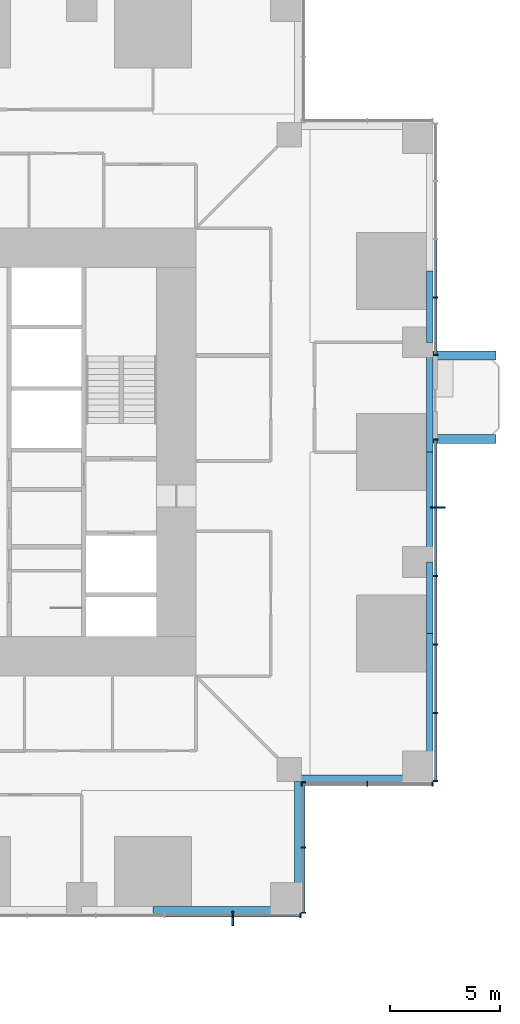
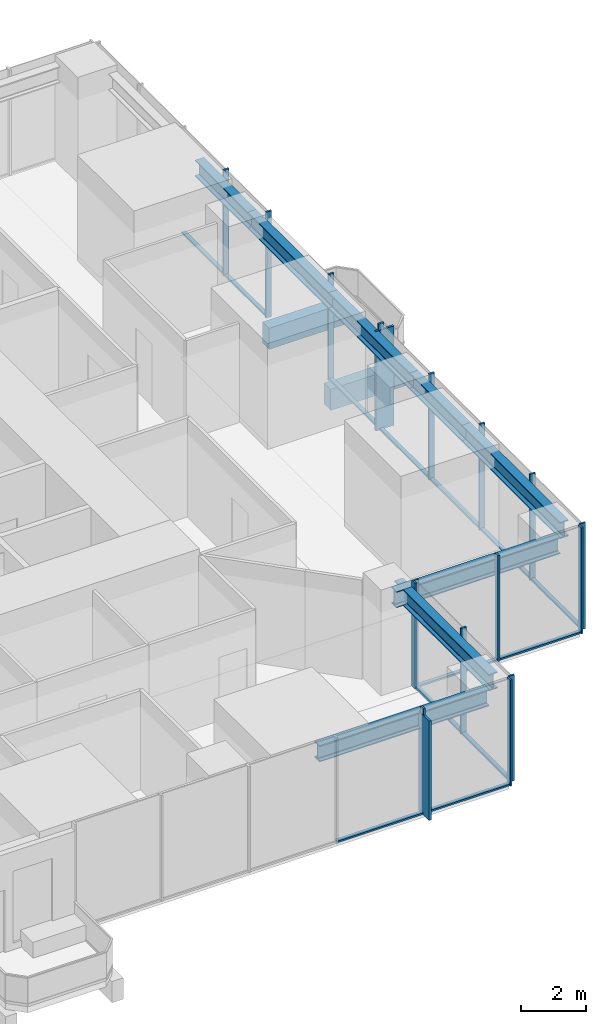
# One storey, part 4 of 18: 31 members, 10 beams, 5 elements without a shape of their own.
"""IFC4 building model written with IfcOpenShell, lengths in metres."""

import ifcopenshell
import ifcopenshell.guid

model = None  # the IFC model being written
_history = None  # IfcOwnerHistory: only IFC2X3 demands one
_inside = {}  # id of a spatial element -> (the spatial element, [elements in it])
_under = {}  # id of a project, library or spatial element -> (it, [spatial elements below it])
_declared = {}  # id of a project -> (the project, [libraries it declares])
_typed = {}  # id of a type object -> (the type object, [elements of that type])
_made_of = {}  # id of a material, layer set ... -> (it, [elements and type objects made of it])


def new_model(schema):
    """Start an empty IFC model of exactly this schema.

    Asked for "IFC4X3", IfcOpenShell would pick the latest addendum, in which some entities
    have other attributes; the version numbers below select the first issue.
    IFC2X3 requires an IfcOwnerHistory on every rooted entity: one is made here for all.
    """
    global model, _history
    if schema == "IFC4X3":
        model = ifcopenshell.file(schema_version=(4, 3, 0, 0))
    else:
        model = ifcopenshell.file(schema=schema)
    _inside.clear()
    _under.clear()
    _declared.clear()
    _typed.clear()
    _made_of.clear()
    _history = None
    if model.schema == "IFC2X3":
        org = make("IfcOrganization", Name="unknown")
        user = make(
            "IfcPersonAndOrganization",
            ThePerson=make("IfcPerson", FamilyName="unknown"),
            TheOrganization=org,
        )
        app = make(
            "IfcApplication",
            ApplicationDeveloper=org,
            Version="unknown",
            ApplicationFullName="unknown",
            ApplicationIdentifier="unknown",
        )
        _history = make(
            "IfcOwnerHistory",
            OwningUser=user,
            OwningApplication=app,
            ChangeAction="ADDED",
            CreationDate=0,
        )
    return model


def make(cls, **values):
    """One entity of the class cls with the attributes given. An attribute that is None is left unset."""
    return model.create_entity(
        cls, **{name: value for name, value in values.items() if value is not None}
    )


def rooted(cls, **values):
    """An entity with a GlobalId (a new one), such as an element, a storey or a relation."""
    return make(cls, GlobalId=ifcopenshell.guid.new(), OwnerHistory=_history, **values)


def si_unit(unit_type, name, prefix=None):
    """IfcSIUnit, for example si_unit("LENGTHUNIT", "METRE", prefix="MILLI")."""
    return make("IfcSIUnit", UnitType=unit_type, Prefix=prefix, Name=name)


def assignment(units):
    """IfcUnitAssignment: the units of a project."""
    return None if units is None else make("IfcUnitAssignment", Units=units)


def point(xyz):
    """IfcCartesianPoint."""
    return None if xyz is None else make("IfcCartesianPoint", Coordinates=xyz)


def direction(xyz):
    """IfcDirection."""
    return None if xyz is None else make("IfcDirection", DirectionRatios=xyz)


def frame(location, z_axis=None, x_axis=None):
    """IfcAxis2Placement3D, a coordinate frame: its origin and axes. An axis left out is left unset."""
    return make(
        "IfcAxis2Placement3D",
        Location=point(location),
        Axis=direction(z_axis),
        RefDirection=direction(x_axis),
    )


def frame_2d(location, x_axis=None):
    """IfcAxis2Placement2D, a coordinate frame in the plane: its origin and x axis."""
    return make(
        "IfcAxis2Placement2D", Location=point(location), RefDirection=direction(x_axis)
    )


def origin():
    """The frame at (0, 0, 0) with its axes left unset."""
    return frame((0.0, 0.0, 0.0))


def origin_2d():
    """The frame at (0, 0) in the plane with its x axis left unset."""
    return frame_2d((0.0, 0.0))


def place(relative_to, where):
    """IfcLocalPlacement: puts the frame where relative to a parent placement (None: the world)."""
    return make(
        "IfcLocalPlacement", PlacementRelTo=relative_to, RelativePlacement=where
    )


def context(
    kind, dimensions, precision=None, world=None, true_north=None, identifier=None
):
    """IfcGeometricRepresentationContext, for example the 3D "Model" context."""
    return make(
        "IfcGeometricRepresentationContext",
        ContextIdentifier=identifier,
        ContextType=kind,
        CoordinateSpaceDimension=dimensions,
        Precision=precision,
        WorldCoordinateSystem=world,
        TrueNorth=true_north,
    )


def subcontext(parent, identifier, kind, view, scale=None):
    """IfcGeometricRepresentationSubContext, for example "Body" below "Model"."""
    return make(
        "IfcGeometricRepresentationSubContext",
        ContextIdentifier=identifier,
        ContextType=kind,
        ParentContext=parent,
        TargetScale=scale,
        TargetView=view,
    )


def project(units=None, contexts=None):
    """IfcProject with its units and contexts."""
    return rooted(
        "IfcProject",
        Name="project",
        RepresentationContexts=contexts,
        UnitsInContext=assignment(units),
    )


def spatial(cls, under=None, at=None, **own):
    """A site, building, storey or space (cls), placed at a placement, below another one or the project."""
    s = rooted(cls, ObjectPlacement=at, **own)
    if under is not None:
        _under.setdefault(under.id(), (under, []))[1].append(s)
    return s


def profile(cls, at=None, kind="AREA", **sizes):
    """A parametric profile (cls). Its sizes go by their IFC names, for example OverallWidth=200.0."""
    return make(cls, ProfileType=kind, Position=at, **sizes)


def rectangle(**sizes):
    """IfcRectangleProfileDef."""
    return profile("IfcRectangleProfileDef", **sizes)


def i_section(**sizes):
    """IfcIShapeProfileDef."""
    return profile("IfcIShapeProfileDef", **sizes)


def extrude(swept, where, along, depth):
    """IfcExtrudedAreaSolid: the profile swept, set in the frame where, extruded along a direction by depth."""
    return make(
        "IfcExtrudedAreaSolid",
        SweptArea=swept,
        Position=where,
        ExtrudedDirection=direction(along),
        Depth=depth,
    )


def shape(context_of_items, identifier, shape_type, items):
    """IfcShapeRepresentation: the items that make up one representation, for example the "Body"."""
    return make(
        "IfcShapeRepresentation",
        ContextOfItems=context_of_items,
        RepresentationIdentifier=identifier,
        RepresentationType=shape_type,
        Items=items,
    )


def material(Name=None, Category=None):
    """IfcMaterial."""
    return make("IfcMaterial", Name=Name, Category=Category)


def material_profile(
    of_material, cross_section, Name=None, Category=None, Priority=None
):
    """IfcMaterialProfile: a cross section and its material."""
    return make(
        "IfcMaterialProfile",
        Name=Name,
        Material=of_material,
        Profile=cross_section,
        Priority=Priority,
        Category=Category,
    )


def profile_set(profiles, Name=None, composite=None):
    """IfcMaterialProfileSet."""
    return make(
        "IfcMaterialProfileSet",
        Name=Name,
        MaterialProfiles=profiles,
        CompositeProfile=composite,
    )


def made_of(thing, what):
    """Note that an element or type object is made of a material, layer set ...; save() writes the relation."""
    if what is not None:
        _made_of.setdefault(what.id(), (what, []))[1].append(thing)
    return thing


def type_object(cls, material=None, **own):
    """A type object (cls), such as IfcWallType, which elements share."""
    return made_of(rooted(cls, **own), material)


def element(
    cls,
    number,
    at=None,
    inside=None,
    cuts=None,
    type_object=None,
    material=None,
    context=None,
    identifier="Body",
    shape_type=None,
    held_by="IfcProductDefinitionShape",
    body=None,
    shapes=None,
    **own,
):
    """One element of the class cls, such as IfcWall. Its Tag is "e" and its number.

    at: its placement. inside: the storey or other place that contains it. cuts: it is an
    opening in that element (IfcRelVoidsElement). A single representation is given by context,
    identifier, shape_type and body (its items); several are given by shapes. held_by: the class
    of the entity that holds the representations. save() writes the other relations.
    """
    e = rooted(cls, Tag="e%d" % number, ObjectPlacement=at, **own)
    if body is not None:
        shapes = [shape(context, identifier, shape_type, body)]
    if shapes is not None:
        e.Representation = make(held_by, Representations=shapes)
    if inside is not None:
        _inside.setdefault(inside.id(), (inside, []))[1].append(e)
    if cuts is not None:
        rooted(
            "IfcRelVoidsElement", RelatingBuildingElement=cuts, RelatedOpeningElement=e
        )
    if type_object is not None:
        _typed.setdefault(type_object.id(), (type_object, []))[1].append(e)
    return made_of(e, material)


def aggregate(whole, parts):
    """IfcRelAggregates: a whole, such as a stair, and the parts it consists of."""
    return rooted("IfcRelAggregates", RelatingObject=whole, RelatedObjects=parts)


def save(model, path):
    """Write the relations noted so far, then the file.

    IfcRelAggregates (storeys below a building ...), IfcRelContainedInSpatialStructure (elements
    in a storey), IfcRelDefinesByType, IfcRelAssociatesMaterial and IfcRelDeclares: one each for
    every whole, place, type object, material and project.
    """
    for whole, parts in _under.values():
        aggregate(whole, parts)
    for where, things in _inside.values():
        rooted(
            "IfcRelContainedInSpatialStructure",
            RelatedElements=things,
            RelatingStructure=where,
        )
    for kind, things in _typed.values():
        rooted("IfcRelDefinesByType", RelatedObjects=things, RelatingType=kind)
    for what, things in _made_of.values():
        rooted("IfcRelAssociatesMaterial", RelatedObjects=things, RelatingMaterial=what)
    for by, libraries in _declared.values():
        rooted("IfcRelDeclares", RelatingContext=by, RelatedDefinitions=libraries)
    model.write(path)


model = new_model("IFC4")

# Units and contexts
model_context = context("Model", 3, precision=1e-05, world=origin(), true_north=direction((0.0, 1.0)))
body_context = subcontext(model_context, "Body", "Model", "MODEL_VIEW")
ifc_project = project(units=[si_unit("LENGTHUNIT", "METRE"), si_unit("AREAUNIT", "SQUARE_METRE"), si_unit("VOLUMEUNIT", "CUBIC_METRE"), si_unit("PLANEANGLEUNIT", "RADIAN"), si_unit("MASSUNIT", "GRAM", prefix="KILO")], contexts=[model_context])

# Site, building, storey
site_placement = place(None, origin())
site = spatial("IfcSite", under=ifc_project, at=site_placement, CompositionType="ELEMENT")
building_placement = place(site_placement, origin())
building = spatial("IfcBuilding", under=site, at=building_placement, Name="Svetlomir Tower", CompositionType="ELEMENT")
storey_placement = place(building_placement, frame((0.0, 0.0, 46.5)))
storey = spatial("IfcBuildingStorey", under=building, at=storey_placement, Name="L10", CompositionType="ELEMENT", Elevation=46.5)

# Beams
ifc_material_1 = material(Name="Concrete C60/75", Category="concrete")
ifc_material_profile_1 = material_profile(ifc_material_1, rectangle(XDim=0.39990234375, YDim=0.800048828125, at=origin_2d()), Name="RC 400x800")
ifc_profile_set_1 = profile_set([ifc_material_profile_1], Name="Concrete C60/75")
beam_type_1 = type_object("IfcBeamType", Name="BALCONY RIB RC 400x800", PredefinedType="BEAM", material=ifc_profile_set_1)
for number, where, z_axis, x_axis, name in (
    (1, (42.0, 21.60009765625, -0.64990234375), (1.0, 0.0, 0.0), (0.0, 1.0, 0.0), "Balcony rib E 1 L10"),
    (2, (42.0, 25.39990234375, -0.64990234375), (1.0, 0.0, 0.0), (0.0, 1.0, 0.0), "Balcony rib E 2 L10"),
):
    element("IfcBeam", number, at=place(storey_placement, frame(where, z_axis=z_axis, x_axis=x_axis)), inside=storey, type_object=beam_type_1, Name=name, PredefinedType="BEAM", context=body_context, shape_type="SweptSolid", body=[
        extrude(rectangle(XDim=0.39990234375, YDim=0.800048828125, at=origin_2d()), origin(), (0.0, 0.0, 1.0), 2.85009765625),
    ])

# Curtain wall, member
ifc_material_2 = material(Name="Bronze anodised aluminium curtain wall", Category="aluminium")
curtain_wall_type = type_object("IfcCurtainWallType", Name="CURTAIN WALL CW1 TOWER OFFICE", PredefinedType="NOTDEFINED", material=ifc_material_2)
curtain_wall_1_placement = place(storey_placement, origin())
curtain_wall_1 = element("IfcCurtainWall", 3, at=curtain_wall_1_placement, inside=storey, type_object=curtain_wall_type, Name="Curtain wall CW1 L10", PredefinedType="NOTDEFINED")
ifc_material_3 = material(Name="Bronze anodised aluminium", Category="aluminium")
ifc_material_profile_2 = material_profile(ifc_material_3, rectangle(XDim=0.080078125, YDim=0.64990234375, at=origin_2d()), Name="FIN 80x650")
ifc_profile_set_2 = profile_set([ifc_material_profile_2], Name="Bronze anodised aluminium 6063-T6")
member_type_1 = type_object("IfcMemberType", Name="BRONZE FIN 80x650", PredefinedType="USERDEFINED", material=ifc_profile_set_2)
member_1_placement = place(storey_placement, frame((32.8798828125, -0.22509765625, 0.0), z_axis=(0.0, 0.0, 1.0), x_axis=(1.0, 0.0, 0.0)))
member_1 = element("IfcMember", 4, at=member_1_placement, type_object=member_type_1, Name="Bronze fin L10", ObjectType="FIN", PredefinedType="USERDEFINED", context=body_context, shape_type="SweptSolid", body=[
    extrude(rectangle(XDim=0.080078125, YDim=0.64990234375, at=origin_2d()), origin(), (0.0, 0.0, 1.0), 3.75),
])

curtain_wall_2_placement = place(storey_placement, origin())
curtain_wall_2 = element("IfcCurtainWall", 5, at=curtain_wall_2_placement, inside=storey, type_object=curtain_wall_type, Name="Curtain wall CW1 L10", PredefinedType="NOTDEFINED")
member_2_placement = place(storey_placement, frame((42.22509765625, 18.47998046875, 0.0), z_axis=(0.0, 0.0, 1.0), x_axis=(0.0, 1.0, 0.0)))
member_2 = element("IfcMember", 6, at=member_2_placement, type_object=member_type_1, Name="Bronze fin L10", ObjectType="FIN", PredefinedType="USERDEFINED", context=body_context, shape_type="SweptSolid", body=[
    extrude(rectangle(XDim=0.080078125, YDim=0.64990234375, at=origin_2d()), origin(), (0.0, 0.0, 1.0), 3.75),
])

# Member
ifc_material_4 = material(Name="Bronze anodised aluminium", Category="aluminium")
ifc_material_profile_3 = material_profile(ifc_material_4, rectangle(XDim=0.06494140625, YDim=0.199951171875, at=origin_2d()), Name="AL 65x200")
ifc_profile_set_3 = profile_set([ifc_material_profile_3], Name="Bronze anodised aluminium 6063-T6")
member_type_2 = type_object("IfcMemberType", Name="CW1 MULLION 65x200", PredefinedType="MULLION", material=ifc_profile_set_3)
member_3_placement = place(storey_placement, frame((32.8798828125, -0.10009765625, 0.0), z_axis=(0.0, 0.0, 1.0), x_axis=(1.0, 0.0, 0.0)))
member_3 = element("IfcMember", 7, at=member_3_placement, type_object=member_type_2, Name="CW1 mullion 5", PredefinedType="MULLION", context=body_context, shape_type="SweptSolid", body=[
    extrude(rectangle(XDim=0.06494140625, YDim=0.199951171875, at=origin_2d()), origin(), (0.0, 0.0, 1.0), 4.0),
])

member_4_placement = place(storey_placement, frame((35.967529296875, -0.10009765625, 0.0), z_axis=(0.0, 0.0, 1.0), x_axis=(1.0, 0.0, 0.0)))
member_4 = element("IfcMember", 8, at=member_4_placement, type_object=member_type_2, Name="CW1 mullion 6", PredefinedType="MULLION", context=body_context, shape_type="SweptSolid", body=[
    extrude(rectangle(XDim=0.06494140625, YDim=0.199951171875, at=origin_2d()), origin(), (0.0, 0.0, 1.0), 4.0),
])

# Curtain wall, members
curtain_wall_3_placement = place(storey_placement, origin())
curtain_wall_3 = element("IfcCurtainWall", 9, at=curtain_wall_3_placement, inside=storey, type_object=curtain_wall_type, Name="Curtain wall CW1 L10", PredefinedType="NOTDEFINED")
member_5_placement = place(storey_placement, frame((36.10009765625, 0.032470703125, 0.0), z_axis=(0.0, 0.0, 1.0), x_axis=(0.0, 1.0, 0.0)))
member_5 = element("IfcMember", 10, at=member_5_placement, type_object=member_type_2, Name="CW1 mullion 1", PredefinedType="MULLION", context=body_context, shape_type="SweptSolid", body=[
    extrude(rectangle(XDim=0.06494140625, YDim=0.199951171875, at=origin_2d()), origin(), (0.0, 0.0, 1.0), 4.0),
])
member_6_placement = place(storey_placement, frame((36.10009765625, 3.0, 0.0), z_axis=(0.0, 0.0, 1.0), x_axis=(0.0, 1.0, 0.0)))
member_6 = element("IfcMember", 11, at=member_6_placement, type_object=member_type_2, Name="CW1 mullion 2", PredefinedType="MULLION", context=body_context, shape_type="SweptSolid", body=[
    extrude(rectangle(XDim=0.06494140625, YDim=0.199951171875, at=origin_2d()), origin(), (0.0, 0.0, 1.0), 4.0),
])
member_7_placement = place(storey_placement, frame((36.10009765625, 5.967529296875, 0.0), z_axis=(0.0, 0.0, 1.0), x_axis=(0.0, 1.0, 0.0)))
member_7 = element("IfcMember", 12, at=member_7_placement, type_object=member_type_2, Name="CW1 mullion 3", PredefinedType="MULLION", context=body_context, shape_type="SweptSolid", body=[
    extrude(rectangle(XDim=0.06494140625, YDim=0.199951171875, at=origin_2d()), origin(), (0.0, 0.0, 1.0), 4.0),
])

curtain_wall_4_placement = place(storey_placement, origin())
curtain_wall_4 = element("IfcCurtainWall", 13, at=curtain_wall_4_placement, inside=storey, type_object=curtain_wall_type, Name="Curtain wall CW1 L10", PredefinedType="NOTDEFINED")
member_8_placement = place(storey_placement, frame((36.032470703125, 5.89990234375, 0.0), z_axis=(0.0, 0.0, 1.0), x_axis=(1.0, 0.0, 0.0)))
member_8 = element("IfcMember", 14, at=member_8_placement, type_object=member_type_2, Name="CW1 mullion 1", PredefinedType="MULLION", context=body_context, shape_type="SweptSolid", body=[
    extrude(rectangle(XDim=0.06494140625, YDim=0.199951171875, at=origin_2d()), origin(), (0.0, 0.0, 1.0), 4.0),
])
member_9_placement = place(storey_placement, frame((39.0, 5.89990234375, 0.0), z_axis=(0.0, 0.0, 1.0), x_axis=(1.0, 0.0, 0.0)))
member_9 = element("IfcMember", 15, at=member_9_placement, type_object=member_type_2, Name="CW1 mullion 2", PredefinedType="MULLION", context=body_context, shape_type="SweptSolid", body=[
    extrude(rectangle(XDim=0.06494140625, YDim=0.199951171875, at=origin_2d()), origin(), (0.0, 0.0, 1.0), 4.0),
])
member_10_placement = place(storey_placement, frame((41.967529296875, 5.89990234375, 0.0), z_axis=(0.0, 0.0, 1.0), x_axis=(1.0, 0.0, 0.0)))
member_10 = element("IfcMember", 16, at=member_10_placement, type_object=member_type_2, Name="CW1 mullion 3", PredefinedType="MULLION", context=body_context, shape_type="SweptSolid", body=[
    extrude(rectangle(XDim=0.06494140625, YDim=0.199951171875, at=origin_2d()), origin(), (0.0, 0.0, 1.0), 4.0),
])

# Member
member_11_placement = place(storey_placement, frame((42.10009765625, 6.032470703125, 0.0), z_axis=(0.0, 0.0, 1.0), x_axis=(0.0, 1.0, 0.0)))
member_11 = element("IfcMember", 17, at=member_11_placement, type_object=member_type_2, Name="CW1 mullion 1", PredefinedType="MULLION", context=body_context, shape_type="SweptSolid", body=[
    extrude(rectangle(XDim=0.06494140625, YDim=0.199951171875, at=origin_2d()), origin(), (0.0, 0.0, 1.0), 4.0),
])

member_12_placement = place(storey_placement, frame((42.10009765625, 9.1201171875, 0.0), z_axis=(0.0, 0.0, 1.0), x_axis=(0.0, 1.0, 0.0)))
member_12 = element("IfcMember", 18, at=member_12_placement, type_object=member_type_2, Name="CW1 mullion 2", PredefinedType="MULLION", context=body_context, shape_type="SweptSolid", body=[
    extrude(rectangle(XDim=0.06494140625, YDim=0.199951171875, at=origin_2d()), origin(), (0.0, 0.0, 1.0), 4.0),
])

member_13_placement = place(storey_placement, frame((42.10009765625, 12.239990234375, 0.0), z_axis=(0.0, 0.0, 1.0), x_axis=(0.0, 1.0, 0.0)))
member_13 = element("IfcMember", 19, at=member_13_placement, type_object=member_type_2, Name="CW1 mullion 3", PredefinedType="MULLION", context=body_context, shape_type="SweptSolid", body=[
    extrude(rectangle(XDim=0.06494140625, YDim=0.199951171875, at=origin_2d()), origin(), (0.0, 0.0, 1.0), 4.0),
])

member_14_placement = place(storey_placement, frame((42.10009765625, 15.360107421875, 0.0), z_axis=(0.0, 0.0, 1.0), x_axis=(0.0, 1.0, 0.0)))
member_14 = element("IfcMember", 20, at=member_14_placement, type_object=member_type_2, Name="CW1 mullion 4", PredefinedType="MULLION", context=body_context, shape_type="SweptSolid", body=[
    extrude(rectangle(XDim=0.06494140625, YDim=0.199951171875, at=origin_2d()), origin(), (0.0, 0.0, 1.0), 4.0),
])

member_15_placement = place(storey_placement, frame((42.10009765625, 18.47998046875, 0.0), z_axis=(0.0, 0.0, 1.0), x_axis=(0.0, 1.0, 0.0)))
member_15 = element("IfcMember", 21, at=member_15_placement, type_object=member_type_2, Name="CW1 mullion 5", PredefinedType="MULLION", context=body_context, shape_type="SweptSolid", body=[
    extrude(rectangle(XDim=0.06494140625, YDim=0.199951171875, at=origin_2d()), origin(), (0.0, 0.0, 1.0), 4.0),
])

member_16_placement = place(storey_placement, frame((42.10009765625, 21.5673828125, 0.0), z_axis=(0.0, 0.0, 1.0), x_axis=(0.0, 1.0, 0.0)))
member_16 = element("IfcMember", 22, at=member_16_placement, type_object=member_type_2, Name="CW1 mullion 6", PredefinedType="MULLION", context=body_context, shape_type="SweptSolid", body=[
    extrude(rectangle(XDim=0.06494140625, YDim=0.199951171875, at=origin_2d()), origin(), (0.0, 0.0, 1.0), 4.0),
])

# Curtain wall, members
curtain_wall_5_placement = place(storey_placement, origin())
curtain_wall_5 = element("IfcCurtainWall", 23, at=curtain_wall_5_placement, inside=storey, type_object=curtain_wall_type, Name="Curtain wall CW1 L10", PredefinedType="NOTDEFINED")
member_17_placement = place(storey_placement, frame((42.10009765625, 25.4326171875, 0.0), z_axis=(0.0, 0.0, 1.0), x_axis=(0.0, 1.0, 0.0)))
member_17 = element("IfcMember", 24, at=member_17_placement, type_object=member_type_2, Name="CW1 mullion 1", PredefinedType="MULLION", context=body_context, shape_type="SweptSolid", body=[
    extrude(rectangle(XDim=0.06494140625, YDim=0.199951171875, at=origin_2d()), origin(), (0.0, 0.0, 1.0), 4.0),
])
member_18_placement = place(storey_placement, frame((42.10009765625, 28.050048828125, 0.0), z_axis=(0.0, 0.0, 1.0), x_axis=(0.0, 1.0, 0.0)))
member_18 = element("IfcMember", 25, at=member_18_placement, type_object=member_type_2, Name="CW1 mullion 2", PredefinedType="MULLION", context=body_context, shape_type="SweptSolid", body=[
    extrude(rectangle(XDim=0.06494140625, YDim=0.199951171875, at=origin_2d()), origin(), (0.0, 0.0, 1.0), 4.0),
])

# Member
ifc_material_5 = material(Name="Bronze anodised aluminium", Category="aluminium")
ifc_material_profile_4 = material_profile(ifc_material_5, rectangle(XDim=0.139892578125, YDim=0.06494140625, at=origin_2d()), Name="AL 140x65")
ifc_profile_set_4 = profile_set([ifc_material_profile_4], Name="Bronze anodised aluminium 6063-T6")
member_type_3 = type_object("IfcMemberType", Name="CW1 TRANSOM 65x140", PredefinedType="USERDEFINED", material=ifc_profile_set_4)
member_19_placement = place(storey_placement, frame((29.79248046875, -0.10009765625, 0.032470703125), z_axis=(1.0, 0.0, 0.0), x_axis=(0.0, 1.0, 0.0)))
member_19 = element("IfcMember", 26, at=member_19_placement, type_object=member_type_3, Name="CW1 transom 4.1", ObjectType="TRANSOM", PredefinedType="USERDEFINED", context=body_context, shape_type="SweptSolid", body=[
    extrude(rectangle(XDim=0.139892578125, YDim=0.06494140625, at=origin_2d()), origin(), (0.0, 0.0, 1.0), 3.054931640625),
])

member_20_placement = place(storey_placement, frame((32.91259765625, -0.10009765625, 0.032470703125), z_axis=(1.0, 0.0, 0.0), x_axis=(0.0, 1.0, 0.0)))
member_20 = element("IfcMember", 27, at=member_20_placement, type_object=member_type_3, Name="CW1 transom 5.1", ObjectType="TRANSOM", PredefinedType="USERDEFINED", context=body_context, shape_type="SweptSolid", body=[
    extrude(rectangle(XDim=0.139892578125, YDim=0.06494140625, at=origin_2d()), origin(), (0.0, 0.0, 1.0), 3.0224609375),
])

aggregate(curtain_wall_1, [member_3, member_4, member_19, member_20, member_1])

member_21_placement = place(storey_placement, frame((36.10009765625, 0.06494140625, 0.032470703125), z_axis=(0.0, 1.0, 0.0), x_axis=(-1.0, 0.0, 0.0)))
member_21 = element("IfcMember", 28, at=member_21_placement, type_object=member_type_3, Name="CW1 transom 1.1", ObjectType="TRANSOM", PredefinedType="USERDEFINED", context=body_context, shape_type="SweptSolid", body=[
    extrude(rectangle(XDim=0.139892578125, YDim=0.06494140625, at=origin_2d()), origin(), (0.0, 0.0, 1.0), 2.902587890625),
])

member_22_placement = place(storey_placement, frame((36.10009765625, 3.032470703125, 0.032470703125), z_axis=(0.0, 1.0, 0.0), x_axis=(-1.0, 0.0, 0.0)))
member_22 = element("IfcMember", 29, at=member_22_placement, type_object=member_type_3, Name="CW1 transom 2.1", ObjectType="TRANSOM", PredefinedType="USERDEFINED", context=body_context, shape_type="SweptSolid", body=[
    extrude(rectangle(XDim=0.139892578125, YDim=0.06494140625, at=origin_2d()), origin(), (0.0, 0.0, 1.0), 2.902587890625),
])

aggregate(curtain_wall_3, [member_5, member_6, member_7, member_21, member_22])

member_23_placement = place(storey_placement, frame((36.06494140625, 5.89990234375, 0.032470703125), z_axis=(1.0, 0.0, 0.0), x_axis=(0.0, 1.0, 0.0)))
member_23 = element("IfcMember", 30, at=member_23_placement, type_object=member_type_3, Name="CW1 transom 1.1", ObjectType="TRANSOM", PredefinedType="USERDEFINED", context=body_context, shape_type="SweptSolid", body=[
    extrude(rectangle(XDim=0.139892578125, YDim=0.06494140625, at=origin_2d()), origin(), (0.0, 0.0, 1.0), 2.902587890625),
])

member_24_placement = place(storey_placement, frame((39.032470703125, 5.89990234375, 0.032470703125), z_axis=(1.0, 0.0, 0.0), x_axis=(0.0, 1.0, 0.0)))
member_24 = element("IfcMember", 31, at=member_24_placement, type_object=member_type_3, Name="CW1 transom 2.1", ObjectType="TRANSOM", PredefinedType="USERDEFINED", context=body_context, shape_type="SweptSolid", body=[
    extrude(rectangle(XDim=0.139892578125, YDim=0.06494140625, at=origin_2d()), origin(), (0.0, 0.0, 1.0), 2.902587890625),
])

aggregate(curtain_wall_4, [member_8, member_9, member_10, member_23, member_24])

member_25_placement = place(storey_placement, frame((42.10009765625, 6.06494140625, 0.032470703125), z_axis=(0.0, 1.0, 0.0), x_axis=(-1.0, 0.0, 0.0)))
member_25 = element("IfcMember", 32, at=member_25_placement, type_object=member_type_3, Name="CW1 transom 1.1", ObjectType="TRANSOM", PredefinedType="USERDEFINED", context=body_context, shape_type="SweptSolid", body=[
    extrude(rectangle(XDim=0.139892578125, YDim=0.06494140625, at=origin_2d()), origin(), (0.0, 0.0, 1.0), 3.0224609375),
])

member_26_placement = place(storey_placement, frame((42.10009765625, 9.152587890625, 0.032470703125), z_axis=(0.0, 1.0, 0.0), x_axis=(-1.0, 0.0, 0.0)))
member_26 = element("IfcMember", 33, at=member_26_placement, type_object=member_type_3, Name="CW1 transom 2.1", ObjectType="TRANSOM", PredefinedType="USERDEFINED", context=body_context, shape_type="SweptSolid", body=[
    extrude(rectangle(XDim=0.139892578125, YDim=0.06494140625, at=origin_2d()), origin(), (0.0, 0.0, 1.0), 3.054931640625),
])

member_27_placement = place(storey_placement, frame((42.10009765625, 12.2724609375, 0.032470703125), z_axis=(0.0, 1.0, 0.0), x_axis=(-1.0, 0.0, 0.0)))
member_27 = element("IfcMember", 34, at=member_27_placement, type_object=member_type_3, Name="CW1 transom 3.1", ObjectType="TRANSOM", PredefinedType="USERDEFINED", context=body_context, shape_type="SweptSolid", body=[
    extrude(rectangle(XDim=0.139892578125, YDim=0.06494140625, at=origin_2d()), origin(), (0.0, 0.0, 1.0), 3.054931640625),
])

member_28_placement = place(storey_placement, frame((42.10009765625, 15.392578125, 0.032470703125), z_axis=(0.0, 1.0, 0.0), x_axis=(-1.0, 0.0, 0.0)))
member_28 = element("IfcMember", 35, at=member_28_placement, type_object=member_type_3, Name="CW1 transom 4.1", ObjectType="TRANSOM", PredefinedType="USERDEFINED", context=body_context, shape_type="SweptSolid", body=[
    extrude(rectangle(XDim=0.139892578125, YDim=0.06494140625, at=origin_2d()), origin(), (0.0, 0.0, 1.0), 3.054931640625),
])

member_29_placement = place(storey_placement, frame((42.10009765625, 18.512451171875, 0.032470703125), z_axis=(0.0, 1.0, 0.0), x_axis=(-1.0, 0.0, 0.0)))
member_29 = element("IfcMember", 36, at=member_29_placement, type_object=member_type_3, Name="CW1 transom 5.1", ObjectType="TRANSOM", PredefinedType="USERDEFINED", context=body_context, shape_type="SweptSolid", body=[
    extrude(rectangle(XDim=0.139892578125, YDim=0.06494140625, at=origin_2d()), origin(), (0.0, 0.0, 1.0), 3.0224609375),
])

aggregate(curtain_wall_2, [member_11, member_12, member_13, member_14, member_15, member_16, member_25, member_26, member_27, member_28, member_29, member_2])

member_30_placement = place(storey_placement, frame((42.10009765625, 25.465087890625, 0.032470703125), z_axis=(0.0, 1.0, 0.0), x_axis=(-1.0, 0.0, 0.0)))
member_30 = element("IfcMember", 37, at=member_30_placement, type_object=member_type_3, Name="CW1 transom 1.1", ObjectType="TRANSOM", PredefinedType="USERDEFINED", context=body_context, shape_type="SweptSolid", body=[
    extrude(rectangle(XDim=0.139892578125, YDim=0.06494140625, at=origin_2d()), origin(), (0.0, 0.0, 1.0), 2.552490234375),
])

member_31_placement = place(storey_placement, frame((42.10009765625, 28.08251953125, 0.032470703125), z_axis=(0.0, 1.0, 0.0), x_axis=(-1.0, 0.0, 0.0)))
member_31 = element("IfcMember", 38, at=member_31_placement, type_object=member_type_3, Name="CW1 transom 2.1", ObjectType="TRANSOM", PredefinedType="USERDEFINED", context=body_context, shape_type="SweptSolid", body=[
    extrude(rectangle(XDim=0.139892578125, YDim=0.06494140625, at=origin_2d()), origin(), (0.0, 0.0, 1.0), 2.5849609375),
])

aggregate(curtain_wall_5, [member_17, member_18, member_30, member_31])

# Beams
ifc_material_6 = material(Name="Steel S355", Category="steel")
ifc_material_profile_5 = material_profile(ifc_material_6, i_section(OverallWidth=0.304931640625, OverallDepth=0.6201171875, WebThickness=0.02099609375, FlangeThickness=0.0400390625, FilletRadius=0.027099609375, at=origin_2d()), Name="HEM 600")
ifc_profile_set_5 = profile_set([ifc_material_profile_5], Name="Steel S355")
beam_type_2 = type_object("IfcBeamType", Name="EDGE BEAM HEM 600", PredefinedType="SPANDREL", material=ifc_profile_set_5)
beam_1_placement = place(storey_placement, frame((41.847412109375, 6.699951171875, 3.43994140625), z_axis=(0.0, 1.0, 0.0), x_axis=(-1.0, 0.0, 0.0)))
element("IfcBeam", 39, at=beam_1_placement, inside=storey, type_object=beam_type_2, Name="Edge beam 42/6 to 42/11 under L11", PredefinedType="SPANDREL", context=body_context, shape_type="SweptSolid", body=[
    extrude(i_section(OverallWidth=0.304931640625, OverallDepth=0.6201171875, WebThickness=0.02099609375, FlangeThickness=0.0400390625, FilletRadius=0.027099609375, at=origin_2d()), origin(), (0.0, 0.0, 1.0), 6.050048828125),
])
beam_2_placement = place(storey_placement, frame((41.847412109375, 12.75, 3.43994140625), z_axis=(0.0, 1.0, 0.0), x_axis=(-1.0, 0.0, 0.0)))
element("IfcBeam", 40, at=beam_2_placement, inside=storey, type_object=beam_type_2, Name="Edge beam 42/11 to 42/16 under L11", PredefinedType="SPANDREL", context=body_context, shape_type="SweptSolid", body=[
    extrude(i_section(OverallWidth=0.304931640625, OverallDepth=0.6201171875, WebThickness=0.02099609375, FlangeThickness=0.0400390625, FilletRadius=0.027099609375, at=origin_2d()), origin(), (0.0, 0.0, 1.0), 3.25),
])
for number, where, z_axis, x_axis, name in (
    (41, (41.847412109375, 16.0, 3.43994140625), (0.0, 1.0, 0.0), (-1.0, 0.0, 0.0), "Edge beam 42/16 to 42/21 under L11"),
    (42, (41.847412109375, 21.0, 3.43994140625), (0.0, 1.0, 0.0), (-1.0, 0.0, 0.0), "Edge beam 42/21 to 42/26 under L11"),
):
    element("IfcBeam", number, at=place(storey_placement, frame(where, z_axis=z_axis, x_axis=x_axis)), inside=storey, type_object=beam_type_2, Name=name, PredefinedType="SPANDREL", context=body_context, shape_type="SweptSolid", body=[
        extrude(i_section(OverallWidth=0.304931640625, OverallDepth=0.6201171875, WebThickness=0.02099609375, FlangeThickness=0.0400390625, FilletRadius=0.027099609375, at=origin_2d()), origin(), (0.0, 0.0, 1.0), 5.0),
    ])
beam_3_placement = place(storey_placement, frame((41.847412109375, 26.0, 3.43994140625), z_axis=(0.0, 1.0, 0.0), x_axis=(-1.0, 0.0, 0.0)))
element("IfcBeam", 43, at=beam_3_placement, inside=storey, type_object=beam_type_2, Name="Edge beam 42/26 to 42/31 under L11", PredefinedType="SPANDREL", context=body_context, shape_type="SweptSolid", body=[
    extrude(i_section(OverallWidth=0.304931640625, OverallDepth=0.6201171875, WebThickness=0.02099609375, FlangeThickness=0.0400390625, FilletRadius=0.027099609375, at=origin_2d()), origin(), (0.0, 0.0, 1.0), 3.25),
])
beam_4_placement = place(storey_placement, frame((29.25, 0.152587890625, 3.43994140625), z_axis=(1.0, 0.0, 0.0), x_axis=(0.0, 1.0, 0.0)))
element("IfcBeam", 44, at=beam_4_placement, inside=storey, type_object=beam_type_2, Name="Edge beam 31/0 to 36/0 under L11", PredefinedType="SPANDREL", context=body_context, shape_type="SweptSolid", body=[
    extrude(i_section(OverallWidth=0.304931640625, OverallDepth=0.6201171875, WebThickness=0.02099609375, FlangeThickness=0.0400390625, FilletRadius=0.027099609375, at=origin_2d()), origin(), (0.0, 0.0, 1.0), 6.050048828125),
])
for number, where, z_axis, x_axis, name in (
    (45, (35.847412109375, 0.699951171875, 3.43994140625), (0.0, 1.0, 0.0), (-1.0, 0.0, 0.0), "Edge beam 36/0 to 36/6 under L11"),
    (46, (41.300048828125, 6.152587890625, 3.43994140625), (-1.0, 0.0, 0.0), (0.0, -1.0, 0.0), "Edge beam 42/6 to 36/6 under L11"),
):
    element("IfcBeam", number, at=place(storey_placement, frame(where, z_axis=z_axis, x_axis=x_axis)), inside=storey, type_object=beam_type_2, Name=name, PredefinedType="SPANDREL", context=body_context, shape_type="SweptSolid", body=[
        extrude(i_section(OverallWidth=0.304931640625, OverallDepth=0.6201171875, WebThickness=0.02099609375, FlangeThickness=0.0400390625, FilletRadius=0.027099609375, at=origin_2d()), origin(), (0.0, 0.0, 1.0), 5.85009765625),
    ])

save(model, "model.ifc")
